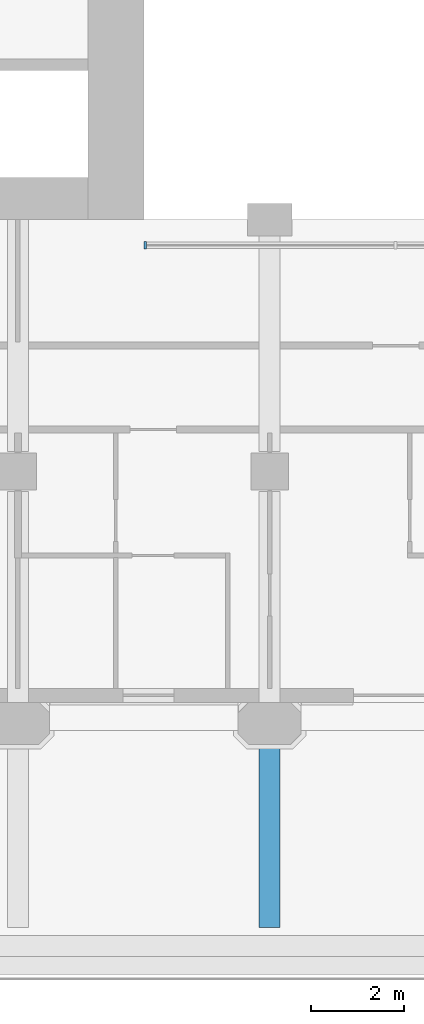
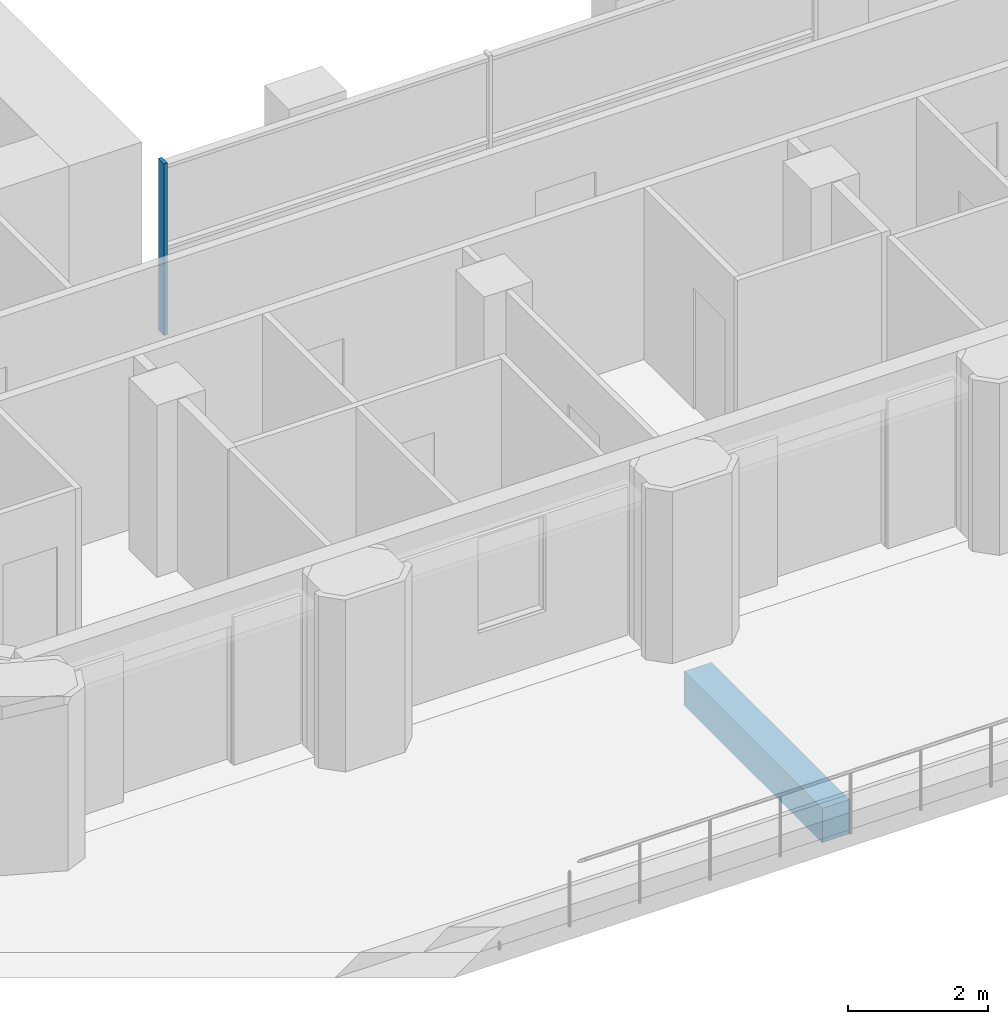
# One storey, part 2 of 17: 1 beam, 1 member, 1 element without a shape of its own.
"""IFC4 building model written with IfcOpenShell, lengths in metres."""

from ifc_helpers import new_model, si_unit, direction, frame, origin, origin_2d, place, context, subcontext, project, spatial, rectangle, extrude, material, material_profile, profile_set, type_object, element, aggregate, save


model = new_model("IFC4")

# Units and contexts
model_context = context("Model", 3, precision=1e-05, world=origin(), true_north=direction((0.0, 1.0)))
body_context = subcontext(model_context, "Body", "Model", "MODEL_VIEW")
ifc_project = project(units=[si_unit("LENGTHUNIT", "METRE"), si_unit("AREAUNIT", "SQUARE_METRE"), si_unit("VOLUMEUNIT", "CUBIC_METRE"), si_unit("PLANEANGLEUNIT", "RADIAN"), si_unit("MASSUNIT", "GRAM", prefix="KILO")], contexts=[model_context])

# Site, building, storey
site_placement = place(None, origin())
site = spatial("IfcSite", under=ifc_project, at=site_placement, CompositionType="ELEMENT")
building_placement = place(site_placement, origin())
building = spatial("IfcBuilding", under=site, at=building_placement, Name="Tabaq Tower and Sports Hall", CompositionType="ELEMENT")
storey_placement = place(building_placement, frame((0.0, 0.0, 180.699951171875)))
storey = spatial("IfcBuildingStorey", under=building, at=storey_placement, Name="L43", CompositionType="ELEMENT", Elevation=180.699951171875)

# Curtain wall, member
ifc_material_1 = material(Name="Aluminium alloy 6063-T6 framed glazing", Category="aluminium")
curtain_wall_type = type_object("IfcCurtainWallType", Name="CW1 curtain wall", PredefinedType="USERDEFINED", material=ifc_material_1)
curtain_wall_placement = place(storey_placement, origin())
curtain_wall = element("IfcCurtainWall", 1, at=curtain_wall_placement, inside=storey, type_object=curtain_wall_type, Name="Atrium glazing L43 S", ObjectType="ATRIUM ENCLOSURE", PredefinedType="USERDEFINED")
ifc_material_2 = material(Name="Aluminium alloy 6063-T6", Category="aluminium")
ifc_material_profile_1 = material_profile(ifc_material_2, rectangle(XDim=0.159912109375, YDim=0.06005859375, at=origin_2d()), Name="MULLION 160x60")
ifc_profile_set_1 = profile_set([ifc_material_profile_1], Name="Aluminium alloy 6063-T6")
member_type = type_object("IfcMemberType", Name="CW1 mullion 160x60", PredefinedType="MULLION", material=ifc_profile_set_1)
member_placement = place(storey_placement, frame((18.929931640625, 15.64990234375, 0.0), z_axis=(0.0, 0.0, 1.0), x_axis=(0.0, 1.0, 0.0)))
member = element("IfcMember", 2, at=member_placement, type_object=member_type, Name="CW1 mullion 1", PredefinedType="MULLION", context=body_context, shape_type="SweptSolid", body=[
    extrude(rectangle(XDim=0.159912109375, YDim=0.06005859375, at=origin_2d()), origin(), (0.0, 0.0, 1.0), 3.0),
])
aggregate(curtain_wall, [member])

# Beam
ifc_material_3 = material(Name="Concrete C40/50", Category="concrete")
ifc_material_profile_2 = material_profile(ifc_material_3, rectangle(XDim=0.449951171875, YDim=0.60009765625, at=origin_2d()), Name="CB 450x600")
ifc_profile_set_2 = profile_set([ifc_material_profile_2], Name="Concrete C40/50")
beam_type = type_object("IfcBeamType", Name="PT CANTILEVER BEAM CB 450x600 C40/50", PredefinedType="BEAM", material=ifc_profile_set_2)
beam_placement = place(storey_placement, frame((21.60009765625, 1.02490234375, -0.599853515625), z_axis=(0.0, 1.0, 0.0), x_axis=(-1.0, 0.0, 0.0)))
element("IfcBeam", 3, at=beam_placement, inside=storey, type_object=beam_type, Name="Cantilever Beam L43 S4 span 1", PredefinedType="BEAM", context=body_context, shape_type="SweptSolid", body=[
    extrude(rectangle(XDim=0.449951171875, YDim=0.60009765625, at=origin_2d()), origin(), (0.0, 0.0, 1.0), 3.9501953125),
])

save(model, "model.ifc")
